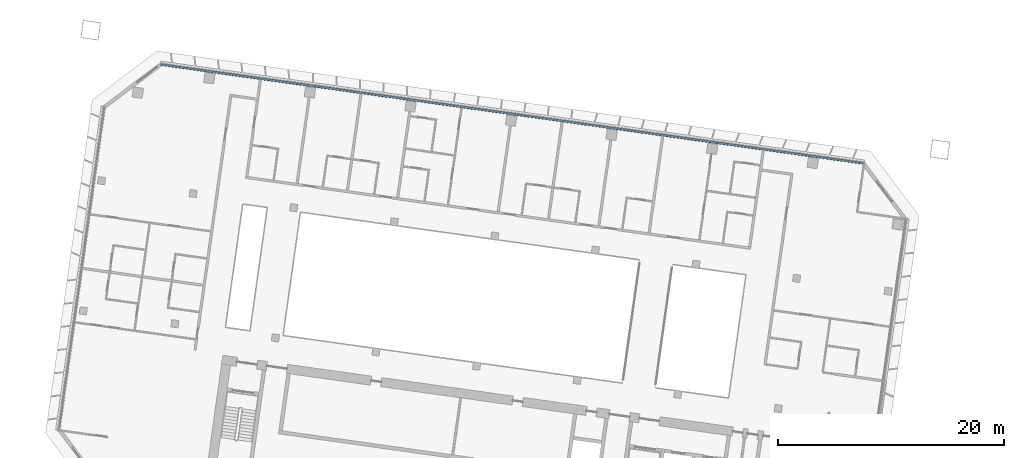
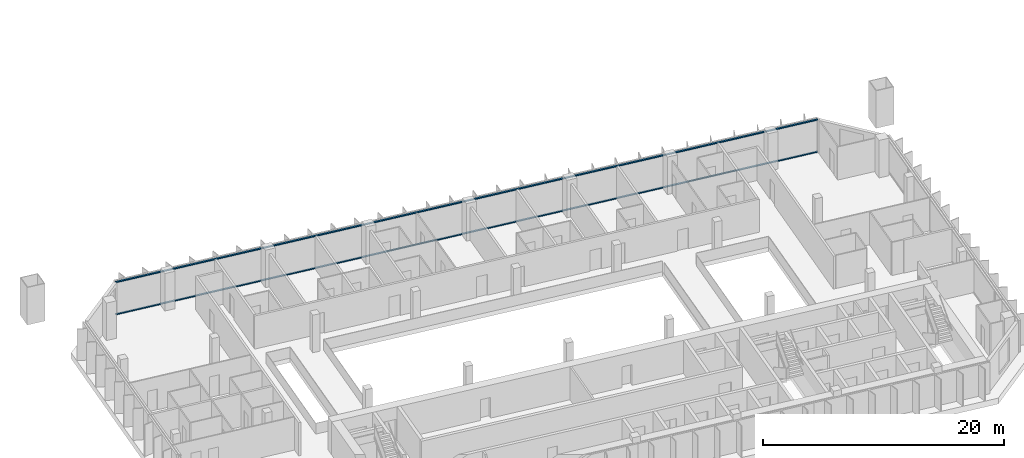
# One storey, part 4 of 25: 2 members, 1 element without a shape of its own.
"""IFC4 building model written with IfcOpenShell, lengths in metres."""

import ifcopenshell
import ifcopenshell.guid

model = None  # the IFC model being written
_history = None  # IfcOwnerHistory: only IFC2X3 demands one
_inside = {}  # id of a spatial element -> (the spatial element, [elements in it])
_under = {}  # id of a project, library or spatial element -> (it, [spatial elements below it])
_declared = {}  # id of a project -> (the project, [libraries it declares])
_typed = {}  # id of a type object -> (the type object, [elements of that type])
_made_of = {}  # id of a material, layer set ... -> (it, [elements and type objects made of it])


def new_model(schema):
    """Start an empty IFC model of exactly this schema.

    Asked for "IFC4X3", IfcOpenShell would pick the latest addendum, in which some entities
    have other attributes; the version numbers below select the first issue.
    IFC2X3 requires an IfcOwnerHistory on every rooted entity: one is made here for all.
    """
    global model, _history
    if schema == "IFC4X3":
        model = ifcopenshell.file(schema_version=(4, 3, 0, 0))
    else:
        model = ifcopenshell.file(schema=schema)
    _inside.clear()
    _under.clear()
    _declared.clear()
    _typed.clear()
    _made_of.clear()
    _history = None
    if model.schema == "IFC2X3":
        org = make("IfcOrganization", Name="unknown")
        user = make(
            "IfcPersonAndOrganization",
            ThePerson=make("IfcPerson", FamilyName="unknown"),
            TheOrganization=org,
        )
        app = make(
            "IfcApplication",
            ApplicationDeveloper=org,
            Version="unknown",
            ApplicationFullName="unknown",
            ApplicationIdentifier="unknown",
        )
        _history = make(
            "IfcOwnerHistory",
            OwningUser=user,
            OwningApplication=app,
            ChangeAction="ADDED",
            CreationDate=0,
        )
    return model


def make(cls, **values):
    """One entity of the class cls with the attributes given. An attribute that is None is left unset."""
    return model.create_entity(
        cls, **{name: value for name, value in values.items() if value is not None}
    )


def rooted(cls, **values):
    """An entity with a GlobalId (a new one), such as an element, a storey or a relation."""
    return make(cls, GlobalId=ifcopenshell.guid.new(), OwnerHistory=_history, **values)


def si_unit(unit_type, name, prefix=None):
    """IfcSIUnit, for example si_unit("LENGTHUNIT", "METRE", prefix="MILLI")."""
    return make("IfcSIUnit", UnitType=unit_type, Prefix=prefix, Name=name)


def assignment(units):
    """IfcUnitAssignment: the units of a project."""
    return None if units is None else make("IfcUnitAssignment", Units=units)


def point(xyz):
    """IfcCartesianPoint."""
    return None if xyz is None else make("IfcCartesianPoint", Coordinates=xyz)


def direction(xyz):
    """IfcDirection."""
    return None if xyz is None else make("IfcDirection", DirectionRatios=xyz)


def frame(location, z_axis=None, x_axis=None):
    """IfcAxis2Placement3D, a coordinate frame: its origin and axes. An axis left out is left unset."""
    return make(
        "IfcAxis2Placement3D",
        Location=point(location),
        Axis=direction(z_axis),
        RefDirection=direction(x_axis),
    )


def frame_2d(location, x_axis=None):
    """IfcAxis2Placement2D, a coordinate frame in the plane: its origin and x axis."""
    return make(
        "IfcAxis2Placement2D", Location=point(location), RefDirection=direction(x_axis)
    )


def origin():
    """The frame at (0, 0, 0) with its axes left unset."""
    return frame((0.0, 0.0, 0.0))


def origin_2d():
    """The frame at (0, 0) in the plane with its x axis left unset."""
    return frame_2d((0.0, 0.0))


def place(relative_to, where):
    """IfcLocalPlacement: puts the frame where relative to a parent placement (None: the world)."""
    return make(
        "IfcLocalPlacement", PlacementRelTo=relative_to, RelativePlacement=where
    )


def context(
    kind, dimensions, precision=None, world=None, true_north=None, identifier=None
):
    """IfcGeometricRepresentationContext, for example the 3D "Model" context."""
    return make(
        "IfcGeometricRepresentationContext",
        ContextIdentifier=identifier,
        ContextType=kind,
        CoordinateSpaceDimension=dimensions,
        Precision=precision,
        WorldCoordinateSystem=world,
        TrueNorth=true_north,
    )


def subcontext(parent, identifier, kind, view, scale=None):
    """IfcGeometricRepresentationSubContext, for example "Body" below "Model"."""
    return make(
        "IfcGeometricRepresentationSubContext",
        ContextIdentifier=identifier,
        ContextType=kind,
        ParentContext=parent,
        TargetScale=scale,
        TargetView=view,
    )


def project(units=None, contexts=None):
    """IfcProject with its units and contexts."""
    return rooted(
        "IfcProject",
        Name="project",
        RepresentationContexts=contexts,
        UnitsInContext=assignment(units),
    )


def spatial(cls, under=None, at=None, **own):
    """A site, building, storey or space (cls), placed at a placement, below another one or the project."""
    s = rooted(cls, ObjectPlacement=at, **own)
    if under is not None:
        _under.setdefault(under.id(), (under, []))[1].append(s)
    return s


def profile(cls, at=None, kind="AREA", **sizes):
    """A parametric profile (cls). Its sizes go by their IFC names, for example OverallWidth=200.0."""
    return make(cls, ProfileType=kind, Position=at, **sizes)


def rectangle(**sizes):
    """IfcRectangleProfileDef."""
    return profile("IfcRectangleProfileDef", **sizes)


def extrude(swept, where, along, depth):
    """IfcExtrudedAreaSolid: the profile swept, set in the frame where, extruded along a direction by depth."""
    return make(
        "IfcExtrudedAreaSolid",
        SweptArea=swept,
        Position=where,
        ExtrudedDirection=direction(along),
        Depth=depth,
    )


def shape(context_of_items, identifier, shape_type, items):
    """IfcShapeRepresentation: the items that make up one representation, for example the "Body"."""
    return make(
        "IfcShapeRepresentation",
        ContextOfItems=context_of_items,
        RepresentationIdentifier=identifier,
        RepresentationType=shape_type,
        Items=items,
    )


def material(Name=None, Category=None):
    """IfcMaterial."""
    return make("IfcMaterial", Name=Name, Category=Category)


def material_profile(
    of_material, cross_section, Name=None, Category=None, Priority=None
):
    """IfcMaterialProfile: a cross section and its material."""
    return make(
        "IfcMaterialProfile",
        Name=Name,
        Material=of_material,
        Profile=cross_section,
        Priority=Priority,
        Category=Category,
    )


def profile_set(profiles, Name=None, composite=None):
    """IfcMaterialProfileSet."""
    return make(
        "IfcMaterialProfileSet",
        Name=Name,
        MaterialProfiles=profiles,
        CompositeProfile=composite,
    )


def made_of(thing, what):
    """Note that an element or type object is made of a material, layer set ...; save() writes the relation."""
    if what is not None:
        _made_of.setdefault(what.id(), (what, []))[1].append(thing)
    return thing


def type_object(cls, material=None, **own):
    """A type object (cls), such as IfcWallType, which elements share."""
    return made_of(rooted(cls, **own), material)


def element(
    cls,
    number,
    at=None,
    inside=None,
    cuts=None,
    type_object=None,
    material=None,
    context=None,
    identifier="Body",
    shape_type=None,
    held_by="IfcProductDefinitionShape",
    body=None,
    shapes=None,
    **own,
):
    """One element of the class cls, such as IfcWall. Its Tag is "e" and its number.

    at: its placement. inside: the storey or other place that contains it. cuts: it is an
    opening in that element (IfcRelVoidsElement). A single representation is given by context,
    identifier, shape_type and body (its items); several are given by shapes. held_by: the class
    of the entity that holds the representations. save() writes the other relations.
    """
    e = rooted(cls, Tag="e%d" % number, ObjectPlacement=at, **own)
    if body is not None:
        shapes = [shape(context, identifier, shape_type, body)]
    if shapes is not None:
        e.Representation = make(held_by, Representations=shapes)
    if inside is not None:
        _inside.setdefault(inside.id(), (inside, []))[1].append(e)
    if cuts is not None:
        rooted(
            "IfcRelVoidsElement", RelatingBuildingElement=cuts, RelatedOpeningElement=e
        )
    if type_object is not None:
        _typed.setdefault(type_object.id(), (type_object, []))[1].append(e)
    return made_of(e, material)


def aggregate(whole, parts):
    """IfcRelAggregates: a whole, such as a stair, and the parts it consists of."""
    return rooted("IfcRelAggregates", RelatingObject=whole, RelatedObjects=parts)


def save(model, path):
    """Write the relations noted so far, then the file.

    IfcRelAggregates (storeys below a building ...), IfcRelContainedInSpatialStructure (elements
    in a storey), IfcRelDefinesByType, IfcRelAssociatesMaterial and IfcRelDeclares: one each for
    every whole, place, type object, material and project.
    """
    for whole, parts in _under.values():
        aggregate(whole, parts)
    for where, things in _inside.values():
        rooted(
            "IfcRelContainedInSpatialStructure",
            RelatedElements=things,
            RelatingStructure=where,
        )
    for kind, things in _typed.values():
        rooted("IfcRelDefinesByType", RelatedObjects=things, RelatingType=kind)
    for what, things in _made_of.values():
        rooted("IfcRelAssociatesMaterial", RelatedObjects=things, RelatingMaterial=what)
    for by, libraries in _declared.values():
        rooted("IfcRelDeclares", RelatingContext=by, RelatedDefinitions=libraries)
    model.write(path)


model = new_model("IFC4")

# Units and contexts
model_context = context("Model", 3, precision=1e-05, world=origin(), true_north=direction((0.0, 1.0)))
body_context = subcontext(model_context, "Body", "Model", "MODEL_VIEW")
ifc_project = project(units=[si_unit("LENGTHUNIT", "METRE"), si_unit("AREAUNIT", "SQUARE_METRE"), si_unit("VOLUMEUNIT", "CUBIC_METRE"), si_unit("PLANEANGLEUNIT", "RADIAN"), si_unit("MASSUNIT", "GRAM", prefix="KILO")], contexts=[model_context])

# Site, building, storey
site_placement = place(None, origin())
site = spatial("IfcSite", under=ifc_project, at=site_placement, CompositionType="ELEMENT")
building_placement = place(site_placement, origin())
building = spatial("IfcBuilding", under=site, at=building_placement, Name="Mirante Cascada Hotel Towers", CompositionType="ELEMENT")
storey_placement = place(building_placement, frame((0.0, 0.0, 102.5)))
storey = spatial("IfcBuildingStorey", under=building, at=storey_placement, Name="L22", CompositionType="ELEMENT", Elevation=102.5)

# Curtain wall, members
ifc_material_1 = material(Name="Aluminium mullion and transom frame with clear laminated glass", Category="aluminium")
curtain_wall_type = type_object("IfcCurtainWallType", Name="Ribbon curtain wall ECW1", PredefinedType="NOTDEFINED", material=ifc_material_1)
curtain_wall_placement = place(storey_placement, origin())
curtain_wall = element("IfcCurtainWall", 1, at=curtain_wall_placement, inside=storey, type_object=curtain_wall_type, Name="Front ribbon wall T1 L22", PredefinedType="NOTDEFINED")
ifc_material_2 = material(Name="Anodised aluminium extrusion", Category="aluminium")
ifc_material_profile = material_profile(ifc_material_2, rectangle(XDim=0.16, YDim=0.1, at=origin_2d()), Name="ECW1 TRANSOM 100x160")
ifc_profile_set = profile_set([ifc_material_profile], Name="Anodised aluminium extrusion")
member_type = type_object("IfcMemberType", Name="ECW1 transom 100x160", PredefinedType="USERDEFINED", material=ifc_profile_set)
member_1_placement = place(storey_placement, frame((-94.1582, 26.0521, 0.05), z_axis=(0.9902681, -0.1391728, 0.0), x_axis=(0.1391728, 0.9902681, 0.0)))
member_1 = element("IfcMember", 2, at=member_1_placement, type_object=member_type, Name="ECW1 sill transom", ObjectType="TRANSOM", PredefinedType="USERDEFINED", context=body_context, shape_type="SweptSolid", body=[
    extrude(rectangle(XDim=0.16, YDim=0.1, at=origin_2d()), origin(), (0.0, 0.0, 1.0), 62.8758),
])
member_2_placement = place(storey_placement, frame((-94.1582, 26.0521, 3.3), z_axis=(0.9902681, -0.1391728, 0.0), x_axis=(0.1391728, 0.9902681, 0.0)))
member_2 = element("IfcMember", 3, at=member_2_placement, type_object=member_type, Name="ECW1 head transom", ObjectType="TRANSOM", PredefinedType="USERDEFINED", context=body_context, shape_type="SweptSolid", body=[
    extrude(rectangle(XDim=0.16, YDim=0.1, at=origin_2d()), origin(), (0.0, 0.0, 1.0), 62.8758),
])
aggregate(curtain_wall, [member_1, member_2])

save(model, "model.ifc")
